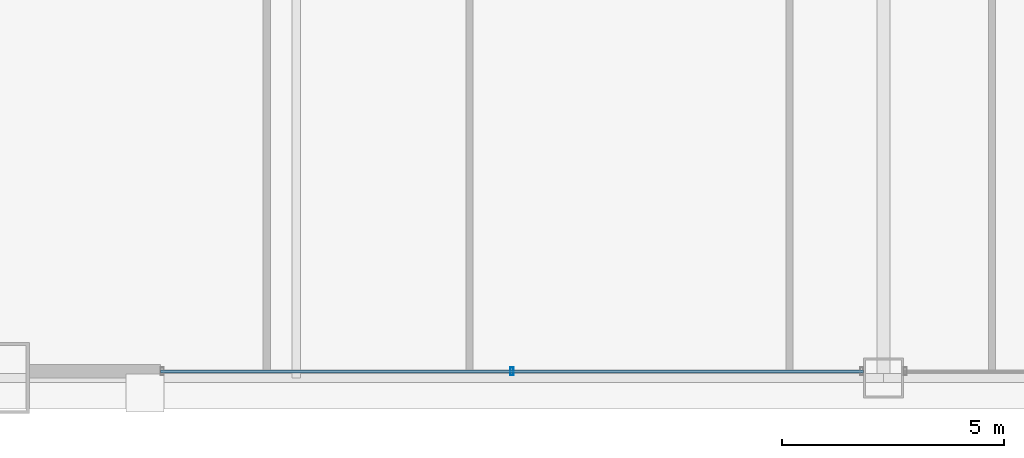
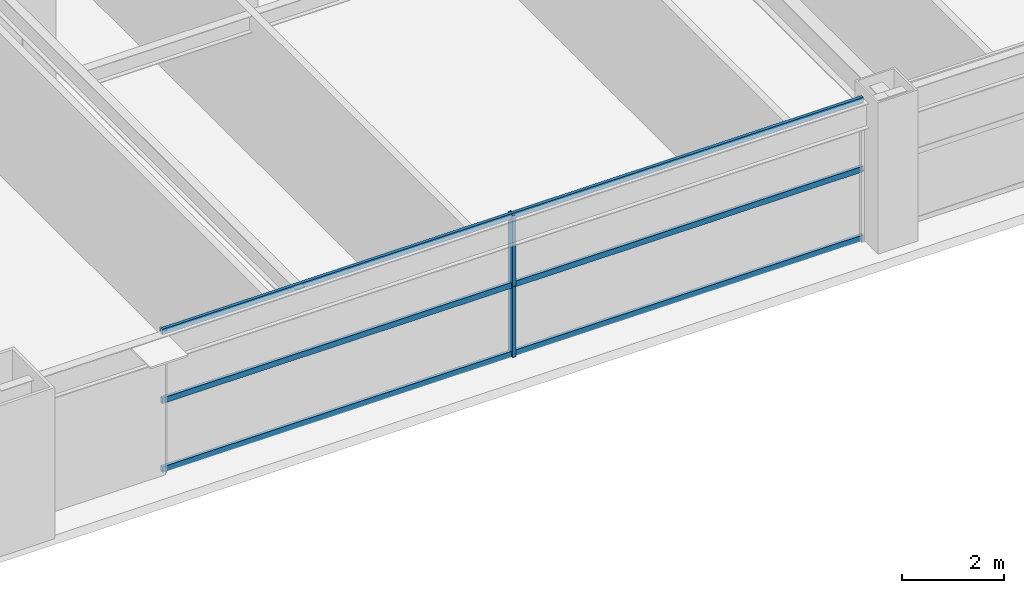
# One storey, part 5 of 38: 5 members, 1 element without a shape of its own.
"""IFC4 building model written with IfcOpenShell, lengths in metres."""

from ifc_helpers import new_model, si_unit, direction, frame, origin, origin_2d, place, context, subcontext, project, spatial, hollow_rectangle, extrude, source, transform, mapped, material, layer, layer_set, material_profile, profile_set, type_object, element, aggregate, save


model = new_model("IFC4")

# Units and contexts
model_context = context("Model", 3, precision=1e-05, world=origin(), true_north=direction((0.0, 1.0)))
body_context = subcontext(model_context, "Body", "Model", "MODEL_VIEW")
ifc_project = project(units=[si_unit("LENGTHUNIT", "METRE"), si_unit("AREAUNIT", "SQUARE_METRE"), si_unit("VOLUMEUNIT", "CUBIC_METRE"), si_unit("PLANEANGLEUNIT", "RADIAN"), si_unit("MASSUNIT", "GRAM", prefix="KILO"), si_unit("THERMODYNAMICTEMPERATUREUNIT", "KELVIN"), si_unit("POWERUNIT", "WATT")], contexts=[model_context])

# Site, building, storey
site_placement = place(None, origin())
site = spatial("IfcSite", under=ifc_project, at=site_placement, CompositionType="ELEMENT")
building_placement = place(site_placement, origin())
building = spatial("IfcBuilding", under=site, at=building_placement, Name="Yuzanri Waterfront Tower", CompositionType="ELEMENT")
storey_placement = place(building_placement, frame((0.0, 0.0, 90.199951171875)))
storey = spatial("IfcBuildingStorey", under=building, at=storey_placement, Name="L23", CompositionType="ELEMENT", Elevation=90.199951171875)

# Curtain wall, members
ifc_material_1 = material(Name="Anodized Architectural Bronze", Category="metal")
ifc_layer = layer(ifc_material_1, 0.159912109375)
ifc_layer_set = layer_set([ifc_layer], Name="Anodized Architectural Bronze")
curtain_wall_type = type_object("IfcCurtainWallType", Name="Anodized Bronze Hotel Upper-Tier Solar-Control Unitized Curtain Wall 7800", PredefinedType="NOTDEFINED", material=ifc_layer_set)
curtain_wall_placement = place(storey_placement, origin())
curtain_wall = element("IfcCurtainWall", 1, at=curtain_wall_placement, inside=storey, type_object=curtain_wall_type, Name="L23 Curtain Wall CW-L23-SL", PredefinedType="NOTDEFINED")
ifc_material_2 = material(Name="Anodized Architectural Bronze", Category="metal")
ifc_material_profile_1 = material_profile(ifc_material_2, hollow_rectangle(XDim=0.070068359375, YDim=0.179931640625, WallThickness=0.00390625, at=origin_2d()), Name="CWM 70x180")
ifc_profile_set_1 = profile_set([ifc_material_profile_1], Name="Anodized Architectural Bronze")
member_type_1 = type_object("IfcMemberType", Name="Anodized Bronze Standard Curtain-Wall Mullion 70x180", PredefinedType="MULLION", material=ifc_profile_set_1)
shared_shape_1 = source(origin(), body_context, "Body", "SweptSolid", [
    extrude(hollow_rectangle(XDim=0.070068359375, YDim=0.179931640625, WallThickness=0.00390625, at=origin_2d()), origin(), (0.0, 0.0, 1.0), 1.68798828125),
])
member_1_placement = place(storey_placement, frame((28.64990234375, 2.35009765625, 0.0), z_axis=(0.0, 0.0, 1.0), x_axis=(1.0, 0.0, 0.0)))
member_1 = element("IfcMember", 2, at=member_1_placement, type_object=member_type_1, Name="CW-L23-SL Lower Mullion 01", PredefinedType="MULLION", context=body_context, shape_type="MappedRepresentation", body=[
    mapped(shared_shape_1, transform((0.0, 0.0, 0.0), scale=1.0)),
])
member_2_placement = place(storey_placement, frame((28.64990234375, 2.35009765625, 1.692138671875), z_axis=(0.0, 0.0, 1.0), x_axis=(1.0, 0.0, 0.0)))
member_2 = element("IfcMember", 3, at=member_2_placement, type_object=member_type_1, Name="CW-L23-SL Upper Mullion 01", PredefinedType="MULLION", context=body_context, shape_type="MappedRepresentation", body=[
    mapped(shared_shape_1, transform((0.0, 0.0, 0.0), scale=1.0)),
])
ifc_material_3 = material(Name="Anodized Architectural Bronze", Category="metal")
ifc_material_profile_2 = material_profile(ifc_material_3, hollow_rectangle(XDim=0.070068359375, YDim=0.135009765625, WallThickness=0.00341796875, at=origin_2d()), Name="CWT 70x135")
ifc_profile_set_2 = profile_set([ifc_material_profile_2], Name="Anodized Architectural Bronze")
member_type_2 = type_object("IfcMemberType", Name="Anodized Bronze Standard Curtain-Wall Transom 70x135", PredefinedType="USERDEFINED", material=ifc_profile_set_2)
shared_shape_2 = source(origin(), body_context, "Body", "SweptSolid", [
    extrude(hollow_rectangle(XDim=0.070068359375, YDim=0.135009765625, WallThickness=0.00341796875, at=origin_2d()), origin(), (0.0, 0.0, 1.0), 15.800048828125),
])
member_3_placement = place(storey_placement, frame((20.75, 2.35009765625, 0.050048828125), z_axis=(1.0, 0.0, 0.0), x_axis=(0.0, 1.0, 0.0)))
member_3 = element("IfcMember", 4, at=member_3_placement, type_object=member_type_2, Name="CW-L23-SL Transom 1", ObjectType="TRANSOM", PredefinedType="USERDEFINED", context=body_context, shape_type="MappedRepresentation", body=[
    mapped(shared_shape_2, transform((0.0, 0.0, 0.0), scale=1.0)),
])
member_4_placement = place(storey_placement, frame((20.75, 2.35009765625, 1.68994140625), z_axis=(1.0, 0.0, 0.0), x_axis=(0.0, 1.0, 0.0)))
member_4 = element("IfcMember", 5, at=member_4_placement, type_object=member_type_2, Name="CW-L23-SL Transom 2", ObjectType="TRANSOM", PredefinedType="USERDEFINED", context=body_context, shape_type="MappedRepresentation", body=[
    mapped(shared_shape_2, transform((0.0, 0.0, 0.0), scale=1.0)),
])
member_5_placement = place(storey_placement, frame((20.75, 2.35009765625, 3.330078125), z_axis=(1.0, 0.0, 0.0), x_axis=(0.0, 1.0, 0.0)))
member_5 = element("IfcMember", 6, at=member_5_placement, type_object=member_type_2, Name="CW-L23-SL Transom 3", ObjectType="TRANSOM", PredefinedType="USERDEFINED", context=body_context, shape_type="MappedRepresentation", body=[
    mapped(shared_shape_2, transform((0.0, 0.0, 0.0), scale=1.0)),
])
aggregate(curtain_wall, [member_1, member_2, member_3, member_4, member_5])

save(model, "model.ifc")
